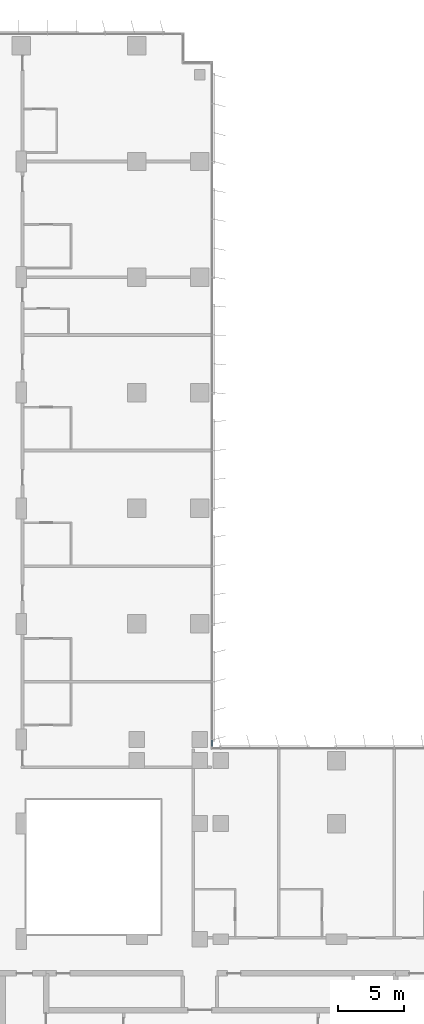
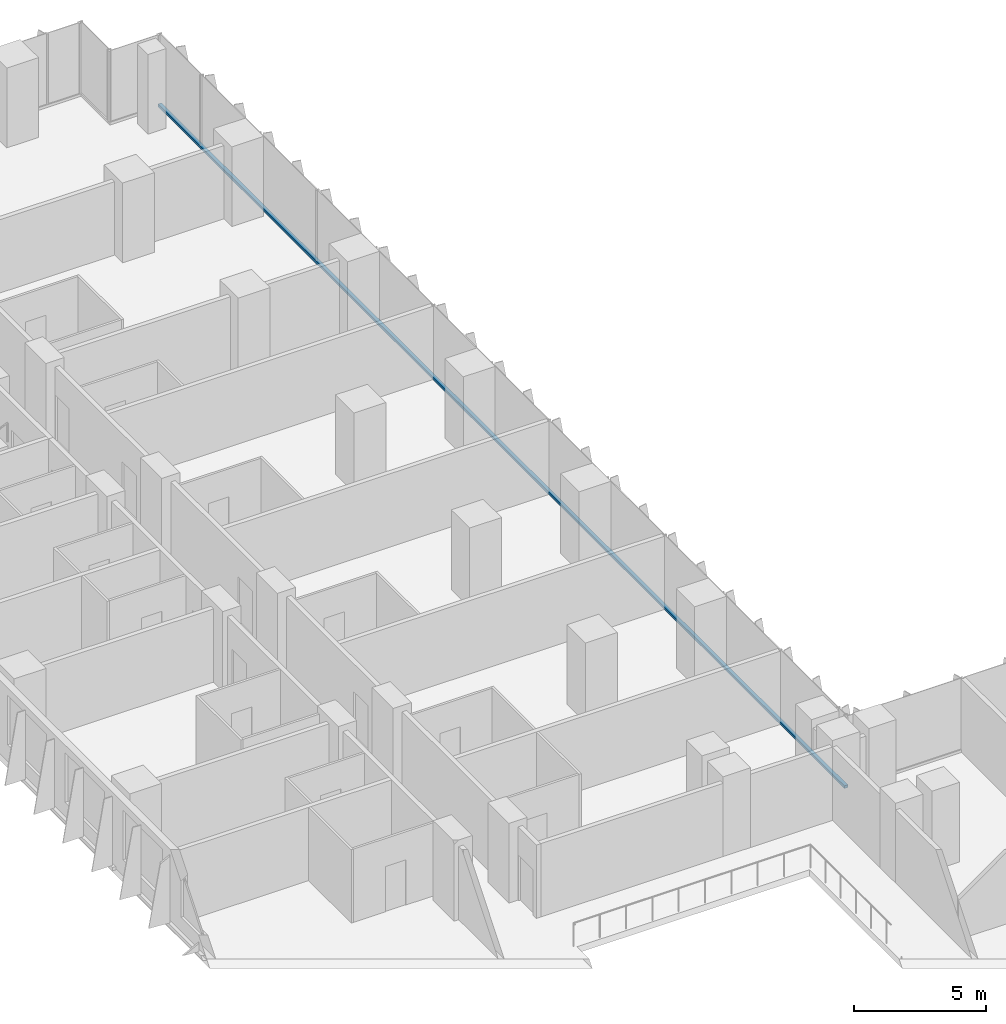
# One storey, part 6 of 24: 1 member, 1 element without a shape of its own.
"""IFC4 building model written with IfcOpenShell, lengths in metres."""

from ifc_helpers import new_model, si_unit, direction, frame, origin, origin_2d, place, context, subcontext, project, spatial, rectangle, extrude, material, material_profile, profile_set, type_object, element, aggregate, save


model = new_model("IFC4")

# Units and contexts
model_context = context("Model", 3, precision=1e-05, world=origin(), true_north=direction((0.0, 1.0)))
body_context = subcontext(model_context, "Body", "Model", "MODEL_VIEW")
ifc_project = project(units=[si_unit("LENGTHUNIT", "METRE"), si_unit("AREAUNIT", "SQUARE_METRE"), si_unit("VOLUMEUNIT", "CUBIC_METRE"), si_unit("PLANEANGLEUNIT", "RADIAN"), si_unit("MASSUNIT", "GRAM", prefix="KILO")], contexts=[model_context])

# Site, building, storey
site_placement = place(None, origin())
site = spatial("IfcSite", under=ifc_project, at=site_placement, CompositionType="ELEMENT")
building_placement = place(site_placement, origin())
building = spatial("IfcBuilding", under=site, at=building_placement, Name="Kemantara Hotel Tower", CompositionType="ELEMENT")
storey_placement = place(building_placement, frame((0.0, 0.0, 52.5)))
storey = spatial("IfcBuildingStorey", under=building, at=storey_placement, Name="L11", CompositionType="ELEMENT", Elevation=52.5)

# Curtain wall, member
ifc_material_1 = material(Name="Low-E tinted double insulated glass 36 mm", Category="glass")
curtain_wall_type = type_object("IfcCurtainWallType", Name="TOWER CURTAIN WALL, FRONT FACES", PredefinedType="USERDEFINED", material=ifc_material_1)
curtain_wall_placement = place(storey_placement, origin())
curtain_wall = element("IfcCurtainWall", 1, at=curtain_wall_placement, inside=storey, type_object=curtain_wall_type, Name="CW4 L11 T1-R08-1", ObjectType="TOWER CURTAIN WALL, FRONT FACES", PredefinedType="USERDEFINED")
ifc_material_2 = material(Name="Aluminium 6063-T6 bronze anodised", Category="aluminium")
ifc_material_profile = material_profile(ifc_material_2, rectangle(XDim=0.14990234375, YDim=0.1201171875, at=origin_2d()), Name="TOWER CURTAIN WALL, FRONT FACES TRANSOM")
ifc_profile_set = profile_set([ifc_material_profile], Name="Aluminium 6063-T6 bronze anodised")
member_type = type_object("IfcMemberType", Name="TOWER CURTAIN WALL, FRONT FACES TRANSOM", PredefinedType="USERDEFINED", material=ifc_profile_set)
member_placement = place(storey_placement, frame((26.72509765625, 26.800048828125, 0.06005859375), z_axis=(0.0, 1.0, 0.0), x_axis=(-1.0, 0.0, 0.0)))
member = element("IfcMember", 2, at=member_placement, type_object=member_type, Name="CW4 sill transom T1-R08-1", ObjectType="TRANSOM", PredefinedType="USERDEFINED", context=body_context, shape_type="SweptSolid", body=[
    extrude(rectangle(XDim=0.14990234375, YDim=0.1201171875, at=origin_2d()), origin(), (0.0, 0.0, 1.0), 52.199951171875),
])
aggregate(curtain_wall, [member])

save(model, "model.ifc")
